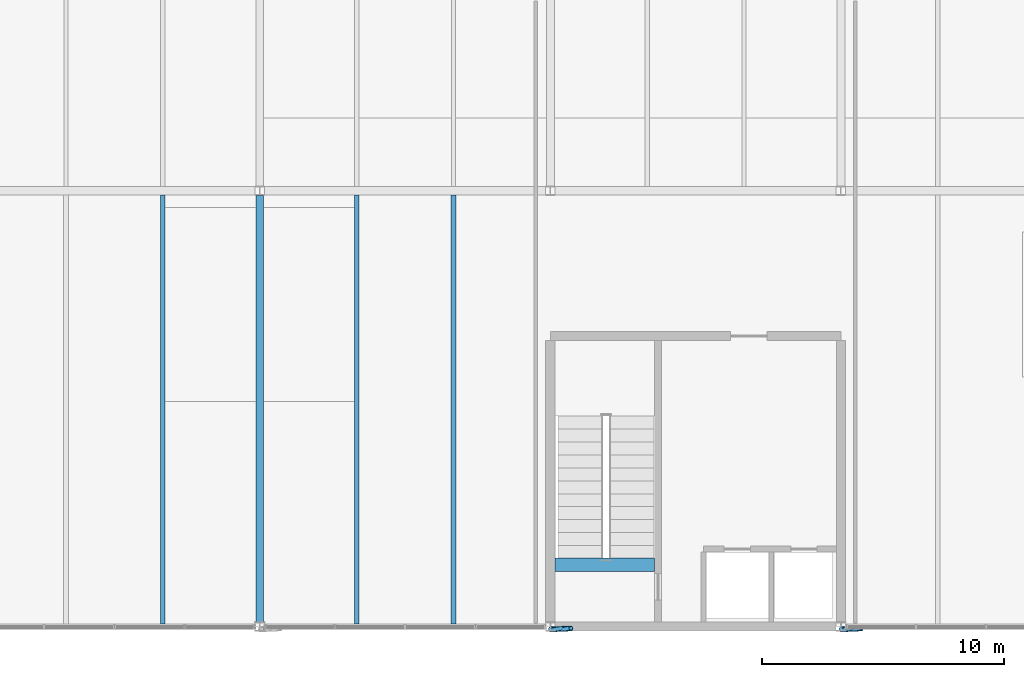
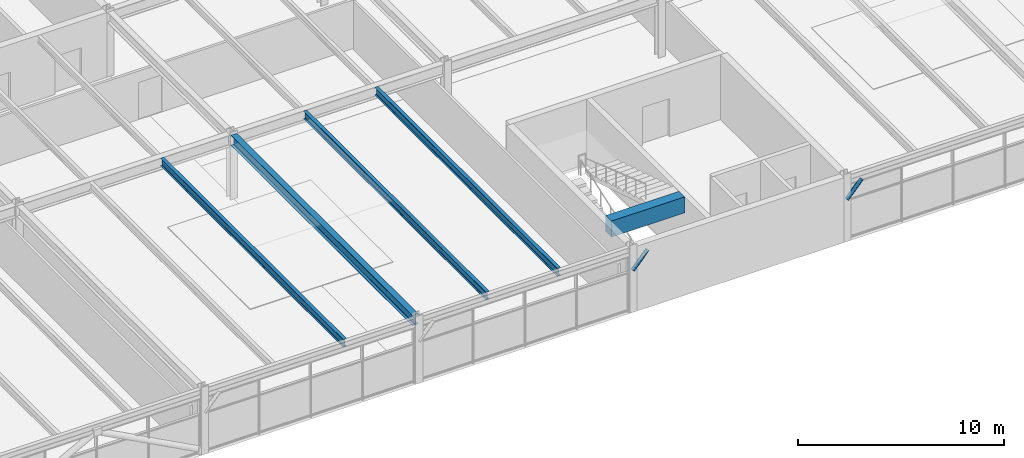
# One storey, part 14 of 49: 5 beams, 2 members.
"""IFC4 building model written with IfcOpenShell, lengths in metres."""

from ifc_helpers import new_model, si_unit, direction, frame, origin, origin_2d, place, context, subcontext, project, spatial, rectangle, hollow_circle, i_section, extrude, material, material_profile, profile_set, type_object, element, save


model = new_model("IFC4")

# Units and contexts
model_context = context("Model", 3, precision=1e-05, world=origin(), true_north=direction((0.0, 1.0)))
body_context = subcontext(model_context, "Body", "Model", "MODEL_VIEW")
ifc_project = project(units=[si_unit("LENGTHUNIT", "METRE"), si_unit("AREAUNIT", "SQUARE_METRE"), si_unit("VOLUMEUNIT", "CUBIC_METRE"), si_unit("PLANEANGLEUNIT", "RADIAN"), si_unit("MASSUNIT", "GRAM", prefix="KILO")], contexts=[model_context])

# Site, building, storey
site_placement = place(None, origin())
site = spatial("IfcSite", under=ifc_project, at=site_placement, CompositionType="ELEMENT")
building_placement = place(site_placement, origin())
building = spatial("IfcBuilding", under=site, at=building_placement, Name="Girod Span Mobility Hub", CompositionType="ELEMENT")
storey_placement = place(building_placement, frame((0.0, 0.0, 37.60009765625)))
storey = spatial("IfcBuildingStorey", under=building, at=storey_placement, Name="L09", CompositionType="ELEMENT", Elevation=37.60009765625)

# Beams
ifc_material_1 = material(Name="Concrete C40/50", Category="concrete")
ifc_material_profile_1 = material_profile(ifc_material_1, rectangle(XDim=0.550048828125, YDim=0.949951171875, at=origin_2d()), Name="RK-550X950")
ifc_profile_set_1 = profile_set([ifc_material_profile_1], Name="Concrete C40/50")
beam_type_1 = type_object("IfcBeamType", Name="BM-RK-550X950", PredefinedType="BEAM", material=ifc_profile_set_1)
beam_1_placement = place(storey_placement, frame((72.18701171875, 29.550048828125, 3.35986328125), z_axis=(1.0, 0.0, 0.0), x_axis=(0.0, 1.0, 0.0)))
element("IfcBeam", 1, at=beam_1_placement, inside=storey, type_object=beam_type_1, Name="Stair ST-3 Landing Header Beam L09", PredefinedType="BEAM", context=body_context, shape_type="SweptSolid", body=[
    extrude(rectangle(XDim=0.550048828125, YDim=0.949951171875, at=origin_2d()), origin(), (0.0, 0.0, 1.0), 4.115966796875),
])
ifc_material_2 = material(Name="Steel A992 Grade 50", Category="steel")
ifc_material_profile_2 = material_profile(ifc_material_2, i_section(OverallWidth=0.19189453125, OverallDepth=0.462890625, WebThickness=0.010498046875, FlangeThickness=0.017578125, FilletRadius=0.013916015625, at=origin_2d()), Name="W18X60")
ifc_profile_set_2 = profile_set([ifc_material_profile_2], Name="Steel A992 Grade 50")
beam_type_2 = type_object("IfcBeamType", Name="BM-STL-W18X60", PredefinedType="BEAM", material=ifc_profile_set_2)
for number, where, z_axis, x_axis, name in (
    (2, (56.0, 27.10302734375, 3.603515625), (0.0, 1.0, 0.0), (-1.0, 0.0, 0.0), "Composite Floorbeam 5/C-2 L09"),
    (3, (64.0, 27.10302734375, 3.603515625), (0.0, 1.0, 0.0), (-1.0, 0.0, 0.0), "Composite Floorbeam 6/C-1 L09"),
    (4, (68.0, 27.10302734375, 3.603515625), (0.0, 1.0, 0.0), (-1.0, 0.0, 0.0), "Composite Floorbeam 6/C-2 L09"),
):
    element("IfcBeam", number, at=place(storey_placement, frame(where, z_axis=z_axis, x_axis=x_axis)), inside=storey, type_object=beam_type_2, Name=name, PredefinedType="BEAM", context=body_context, shape_type="SweptSolid", body=[
        extrude(i_section(OverallWidth=0.19189453125, OverallDepth=0.462890625, WebThickness=0.010498046875, FlangeThickness=0.017578125, FilletRadius=0.013916015625, at=origin_2d()), origin(), (0.0, 0.0, 1.0), 17.722412109375),
    ])
ifc_material_3 = material(Name="Steel A992 Grade 50", Category="steel")
ifc_material_profile_3 = material_profile(ifc_material_3, i_section(OverallWidth=0.323974609375, OverallDepth=0.611083984375, WebThickness=0.0126953125, FlangeThickness=0.01904296875, FilletRadius=0.014892578125, at=origin_2d()), Name="W24X104")
ifc_profile_set_3 = profile_set([ifc_material_profile_3], Name="Steel A992 Grade 50")
beam_type_3 = type_object("IfcBeamType", Name="BM-STL-W24X104", PredefinedType="BEAM", material=ifc_profile_set_3)
beam_2_placement = place(storey_placement, frame((60.0, 27.1845703125, 3.529296875), z_axis=(0.0, 1.0, 0.0), x_axis=(-1.0, 0.0, 0.0)))
element("IfcBeam", 5, at=beam_2_placement, inside=storey, type_object=beam_type_3, Name="Tie Girder 6/C-D L09", PredefinedType="BEAM", context=body_context, shape_type="SweptSolid", body=[
    extrude(i_section(OverallWidth=0.323974609375, OverallDepth=0.611083984375, WebThickness=0.0126953125, FlangeThickness=0.01904296875, FilletRadius=0.014892578125, at=origin_2d()), origin(), (0.0, 0.0, 1.0), 17.621826171875),
])

# Members
ifc_material_4 = material(Name="Steel HSS A500 Grade C", Category="steel")
ifc_material_profile_4 = material_profile(ifc_material_4, hollow_circle(Radius=0.109619140625, WallThickness=0.0087890625, at=origin_2d()), Name="HSS219X9.5")
ifc_profile_set_4 = profile_set([ifc_material_profile_4], Name="Steel HSS A500 Grade C")
member_type = type_object("IfcMemberType", Name="MB-ST-HSS219", PredefinedType="STRUT", material=ifc_profile_set_4)
for number, where, z_axis, x_axis, name in (
    (6, (72.0, 26.8798828125, 2.449951171875), (0.684284972261, 0.032229389848, 0.728502122967), (-0.047047213483, 0.998892666758, 0.0), "Solar Shading Knee Strut 7 L09"),
    (7, (84.0, 26.8798828125, 2.449951171875), (0.684284972261, 0.032229389848, 0.728502122967), (-0.047047213483, 0.998892666758, 0.0), "Solar Shading Knee Strut 8 L09"),
):
    element("IfcMember", number, at=place(storey_placement, frame(where, z_axis=z_axis, x_axis=x_axis)), inside=storey, type_object=member_type, Name=name, PredefinedType="STRUT", context=body_context, shape_type="SweptSolid", body=[
        extrude(hollow_circle(Radius=0.109619140625, WallThickness=0.0087890625, at=origin_2d()), origin(), (0.0, 0.0, 1.0), 1.242431640625),
    ])

save(model, "model.ifc")
